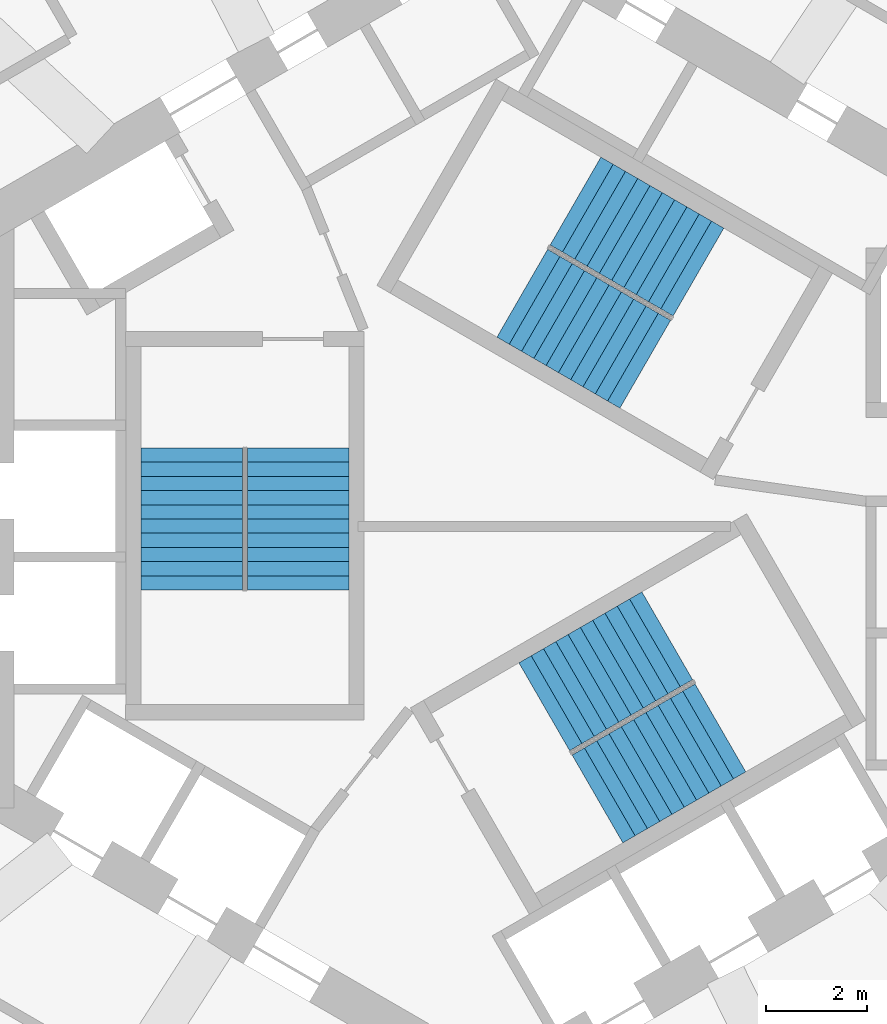
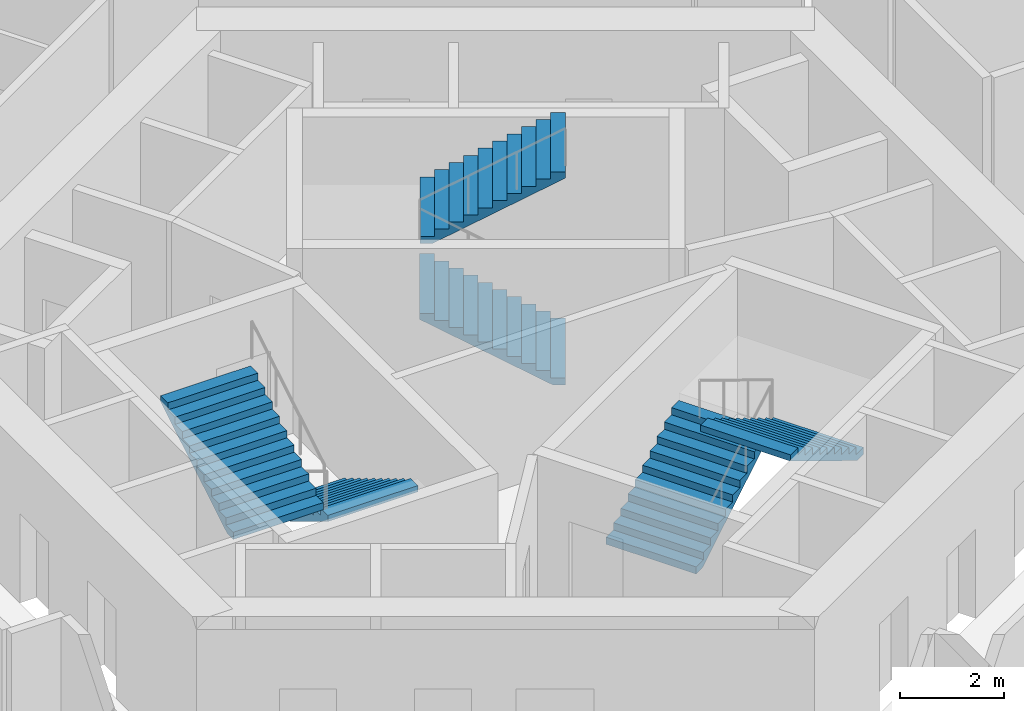
# One storey, part 9 of 11: 6 stair flights, 3 elements without a shape of their own.
"""IFC4 building model written with IfcOpenShell, lengths in metres."""

import ifcopenshell
import ifcopenshell.guid

model = None  # the IFC model being written
_history = None  # IfcOwnerHistory: only IFC2X3 demands one
_inside = {}  # id of a spatial element -> (the spatial element, [elements in it])
_under = {}  # id of a project, library or spatial element -> (it, [spatial elements below it])
_declared = {}  # id of a project -> (the project, [libraries it declares])
_typed = {}  # id of a type object -> (the type object, [elements of that type])
_made_of = {}  # id of a material, layer set ... -> (it, [elements and type objects made of it])


def new_model(schema):
    """Start an empty IFC model of exactly this schema.

    Asked for "IFC4X3", IfcOpenShell would pick the latest addendum, in which some entities
    have other attributes; the version numbers below select the first issue.
    IFC2X3 requires an IfcOwnerHistory on every rooted entity: one is made here for all.
    """
    global model, _history
    if schema == "IFC4X3":
        model = ifcopenshell.file(schema_version=(4, 3, 0, 0))
    else:
        model = ifcopenshell.file(schema=schema)
    _inside.clear()
    _under.clear()
    _declared.clear()
    _typed.clear()
    _made_of.clear()
    _history = None
    if model.schema == "IFC2X3":
        org = make("IfcOrganization", Name="unknown")
        user = make(
            "IfcPersonAndOrganization",
            ThePerson=make("IfcPerson", FamilyName="unknown"),
            TheOrganization=org,
        )
        app = make(
            "IfcApplication",
            ApplicationDeveloper=org,
            Version="unknown",
            ApplicationFullName="unknown",
            ApplicationIdentifier="unknown",
        )
        _history = make(
            "IfcOwnerHistory",
            OwningUser=user,
            OwningApplication=app,
            ChangeAction="ADDED",
            CreationDate=0,
        )
    return model


def make(cls, **values):
    """One entity of the class cls with the attributes given. An attribute that is None is left unset."""
    return model.create_entity(
        cls, **{name: value for name, value in values.items() if value is not None}
    )


def rooted(cls, **values):
    """An entity with a GlobalId (a new one), such as an element, a storey or a relation."""
    return make(cls, GlobalId=ifcopenshell.guid.new(), OwnerHistory=_history, **values)


def si_unit(unit_type, name, prefix=None):
    """IfcSIUnit, for example si_unit("LENGTHUNIT", "METRE", prefix="MILLI")."""
    return make("IfcSIUnit", UnitType=unit_type, Prefix=prefix, Name=name)


def assignment(units):
    """IfcUnitAssignment: the units of a project."""
    return None if units is None else make("IfcUnitAssignment", Units=units)


def point(xyz):
    """IfcCartesianPoint."""
    return None if xyz is None else make("IfcCartesianPoint", Coordinates=xyz)


def direction(xyz):
    """IfcDirection."""
    return None if xyz is None else make("IfcDirection", DirectionRatios=xyz)


def frame(location, z_axis=None, x_axis=None):
    """IfcAxis2Placement3D, a coordinate frame: its origin and axes. An axis left out is left unset."""
    return make(
        "IfcAxis2Placement3D",
        Location=point(location),
        Axis=direction(z_axis),
        RefDirection=direction(x_axis),
    )


def origin():
    """The frame at (0, 0, 0) with its axes left unset."""
    return frame((0.0, 0.0, 0.0))


def place(relative_to, where):
    """IfcLocalPlacement: puts the frame where relative to a parent placement (None: the world)."""
    return make(
        "IfcLocalPlacement", PlacementRelTo=relative_to, RelativePlacement=where
    )


def context(
    kind, dimensions, precision=None, world=None, true_north=None, identifier=None
):
    """IfcGeometricRepresentationContext, for example the 3D "Model" context."""
    return make(
        "IfcGeometricRepresentationContext",
        ContextIdentifier=identifier,
        ContextType=kind,
        CoordinateSpaceDimension=dimensions,
        Precision=precision,
        WorldCoordinateSystem=world,
        TrueNorth=true_north,
    )


def subcontext(parent, identifier, kind, view, scale=None):
    """IfcGeometricRepresentationSubContext, for example "Body" below "Model"."""
    return make(
        "IfcGeometricRepresentationSubContext",
        ContextIdentifier=identifier,
        ContextType=kind,
        ParentContext=parent,
        TargetScale=scale,
        TargetView=view,
    )


def project(units=None, contexts=None):
    """IfcProject with its units and contexts."""
    return rooted(
        "IfcProject",
        Name="project",
        RepresentationContexts=contexts,
        UnitsInContext=assignment(units),
    )


def spatial(cls, under=None, at=None, **own):
    """A site, building, storey or space (cls), placed at a placement, below another one or the project."""
    s = rooted(cls, ObjectPlacement=at, **own)
    if under is not None:
        _under.setdefault(under.id(), (under, []))[1].append(s)
    return s


def point_list(points):
    """IfcCartesianPointList2D or 3D."""
    cls = (
        "IfcCartesianPointList2D" if len(points[0]) == 2 else "IfcCartesianPointList3D"
    )
    return make(cls, CoordList=points)


def triangles(points, corners, closed=None, point_numbers=None):
    """IfcTriangulatedFaceSet: each triangle names its three corners, points numbered from 1."""
    return make(
        "IfcTriangulatedFaceSet",
        Coordinates=point_list(points),
        Closed=closed,
        CoordIndex=corners,
        PnIndex=point_numbers,
    )


def shape(context_of_items, identifier, shape_type, items):
    """IfcShapeRepresentation: the items that make up one representation, for example the "Body"."""
    return make(
        "IfcShapeRepresentation",
        ContextOfItems=context_of_items,
        RepresentationIdentifier=identifier,
        RepresentationType=shape_type,
        Items=items,
    )


def source(mapping_origin, context_of_items, identifier, shape_type, items):
    """IfcRepresentationMap: a shape defined once, which mapped items show again and again."""
    return make(
        "IfcRepresentationMap",
        MappingOrigin=mapping_origin,
        MappedRepresentation=shape(context_of_items, identifier, shape_type, items),
    )


def transform(
    local_origin,
    x_axis=None,
    y_axis=None,
    z_axis=None,
    scale=None,
    scale2=None,
    scale3=None,
    uniform=True,
):
    """IfcCartesianTransformationOperator3D, or its non-uniform kind. x_axis, y_axis, z_axis: its Axis1, 2, 3."""
    if uniform:
        return make(
            "IfcCartesianTransformationOperator3D",
            Axis1=direction(x_axis),
            Axis2=direction(y_axis),
            LocalOrigin=point(local_origin),
            Scale=scale,
            Axis3=direction(z_axis),
        )
    return make(
        "IfcCartesianTransformationOperator3DnonUniform",
        Axis1=direction(x_axis),
        Axis2=direction(y_axis),
        LocalOrigin=point(local_origin),
        Scale=scale,
        Axis3=direction(z_axis),
        Scale2=scale2,
        Scale3=scale3,
    )


def mapped(mapping_source, mapping_target):
    """IfcMappedItem: shows the shape of a source again, moved by a transform."""
    return make(
        "IfcMappedItem", MappingSource=mapping_source, MappingTarget=mapping_target
    )


def material(Name=None, Category=None):
    """IfcMaterial."""
    return make("IfcMaterial", Name=Name, Category=Category)


def made_of(thing, what):
    """Note that an element or type object is made of a material, layer set ...; save() writes the relation."""
    if what is not None:
        _made_of.setdefault(what.id(), (what, []))[1].append(thing)
    return thing


def type_object(cls, material=None, **own):
    """A type object (cls), such as IfcWallType, which elements share."""
    return made_of(rooted(cls, **own), material)


def element(
    cls,
    number,
    at=None,
    inside=None,
    cuts=None,
    type_object=None,
    material=None,
    context=None,
    identifier="Body",
    shape_type=None,
    held_by="IfcProductDefinitionShape",
    body=None,
    shapes=None,
    **own,
):
    """One element of the class cls, such as IfcWall. Its Tag is "e" and its number.

    at: its placement. inside: the storey or other place that contains it. cuts: it is an
    opening in that element (IfcRelVoidsElement). A single representation is given by context,
    identifier, shape_type and body (its items); several are given by shapes. held_by: the class
    of the entity that holds the representations. save() writes the other relations.
    """
    e = rooted(cls, Tag="e%d" % number, ObjectPlacement=at, **own)
    if body is not None:
        shapes = [shape(context, identifier, shape_type, body)]
    if shapes is not None:
        e.Representation = make(held_by, Representations=shapes)
    if inside is not None:
        _inside.setdefault(inside.id(), (inside, []))[1].append(e)
    if cuts is not None:
        rooted(
            "IfcRelVoidsElement", RelatingBuildingElement=cuts, RelatedOpeningElement=e
        )
    if type_object is not None:
        _typed.setdefault(type_object.id(), (type_object, []))[1].append(e)
    return made_of(e, material)


def aggregate(whole, parts):
    """IfcRelAggregates: a whole, such as a stair, and the parts it consists of."""
    return rooted("IfcRelAggregates", RelatingObject=whole, RelatedObjects=parts)


def save(model, path):
    """Write the relations noted so far, then the file.

    IfcRelAggregates (storeys below a building ...), IfcRelContainedInSpatialStructure (elements
    in a storey), IfcRelDefinesByType, IfcRelAssociatesMaterial and IfcRelDeclares: one each for
    every whole, place, type object, material and project.
    """
    for whole, parts in _under.values():
        aggregate(whole, parts)
    for where, things in _inside.values():
        rooted(
            "IfcRelContainedInSpatialStructure",
            RelatedElements=things,
            RelatingStructure=where,
        )
    for kind, things in _typed.values():
        rooted("IfcRelDefinesByType", RelatedObjects=things, RelatingType=kind)
    for what, things in _made_of.values():
        rooted("IfcRelAssociatesMaterial", RelatedObjects=things, RelatingMaterial=what)
    for by, libraries in _declared.values():
        rooted("IfcRelDeclares", RelatingContext=by, RelatedDefinitions=libraries)
    model.write(path)


model = new_model("IFC4")

# Units and contexts
model_context = context("Model", 3, precision=1e-05, world=origin(), true_north=direction((0.0, 1.0)))
body_context = subcontext(model_context, "Body", "Model", "MODEL_VIEW")
ifc_project = project(units=[si_unit("LENGTHUNIT", "METRE"), si_unit("AREAUNIT", "SQUARE_METRE"), si_unit("VOLUMEUNIT", "CUBIC_METRE"), si_unit("PLANEANGLEUNIT", "RADIAN"), si_unit("MASSUNIT", "GRAM", prefix="KILO")], contexts=[model_context])

# Site, building, storey
site_placement = place(None, origin())
site = spatial("IfcSite", under=ifc_project, at=site_placement, CompositionType="ELEMENT")
building_placement = place(site_placement, origin())
building = spatial("IfcBuilding", under=site, at=building_placement, Name="Vanh Sen Convention Tower", CompositionType="ELEMENT")
storey_placement = place(building_placement, frame((0.0, 0.0, 243.89990234375)))
storey = spatial("IfcBuildingStorey", under=building, at=storey_placement, Name="L60", CompositionType="ELEMENT", Elevation=243.89990234375)

# Stair, stair flights
ifc_material_1 = material(Name="Concrete C50/60", Category="concrete")
stair_type_1 = type_object("IfcStairType", Name="Exit stair ST1 22 risers at 168.2", PredefinedType="HALF_TURN_STAIR", material=ifc_material_1)
stair_1_placement = place(storey_placement, origin())
stair_1 = element("IfcStair", 1, at=stair_1_placement, inside=storey, type_object=stair_type_1, Name="Exit stair ST1 L60", PredefinedType="HALF_TURN_STAIR")
ifc_material_2 = material(Name="Concrete C40/50", Category="concrete")
stair_flight_type = type_object("IfcStairFlightType", Name="Stair flight 2000", PredefinedType="STRAIGHT", material=ifc_material_2)
shared_shape = source(origin(), body_context, "Body", "Tessellation", [
    triangles([(0.24267578125, 1.0, 0.0), (0.0, 1.0, 0.0), (0.0, 1.0, 0.168212890625), (0.280029296875, 1.0, 0.168212890625), (0.280029296875, 1.0, 0.33642578125), (0.56005859375, 1.0, 0.33642578125), (0.56005859375, 1.0, 0.504638671875), (0.840087890625, 1.0, 0.504638671875), (0.840087890625, 1.0, 0.672607421875), (1.1201171875, 1.0, 0.672607421875), (1.1201171875, 1.0, 0.8408203125), (1.39990234375, 1.0, 0.8408203125), (1.39990234375, 1.0, 1.009033203125), (1.679931640625, 1.0, 1.009033203125), (1.679931640625, 1.0, 1.17724609375), (1.9599609375, 1.0, 1.17724609375), (1.9599609375, 1.0, 1.345458984375), (2.239990234375, 1.0, 1.345458984375), (2.239990234375, 1.0, 1.513671875), (2.52001953125, 1.0, 1.513671875), (2.52001953125, 1.0, 1.681884765625), (2.800048828125, 1.0, 1.681884765625), (2.800048828125, 1.0, 1.535888671875), (0.24267578125, -1.0, 0.0), (0.0, -1.0, 0.0), (0.0, -1.0, 0.168212890625), (0.280029296875, -1.0, 0.168212890625), (0.280029296875, -1.0, 0.33642578125), (0.56005859375, -1.0, 0.33642578125), (0.56005859375, -1.0, 0.504638671875), (0.840087890625, -1.0, 0.504638671875), (0.840087890625, -1.0, 0.672607421875), (1.1201171875, -1.0, 0.672607421875), (1.1201171875, -1.0, 0.8408203125), (1.39990234375, -1.0, 0.8408203125), (1.39990234375, -1.0, 1.009033203125), (1.679931640625, -1.0, 1.009033203125), (1.679931640625, -1.0, 1.17724609375), (1.9599609375, -1.0, 1.17724609375), (1.9599609375, -1.0, 1.345458984375), (2.239990234375, -1.0, 1.345458984375), (2.239990234375, -1.0, 1.513671875), (2.52001953125, -1.0, 1.513671875), (2.52001953125, -1.0, 1.681884765625), (2.800048828125, -1.0, 1.681884765625), (2.800048828125, -1.0, 1.535888671875), (0.0, 0.0400390625, 0.0), (0.0, 0.0390625, 0.0), (0.0, 0.0380859375, 0.0), (0.0, 0.037109375, 0.0), (0.0, 0.035888671875, 0.0), (0.0, 0.034912109375, 0.0), (0.0, 0.033935546875, 0.0), (0.0, 0.032958984375, 0.0), (0.0, 0.031982421875, 0.0), (0.0, 0.031005859375, 0.0), (0.0, 0.030029296875, 0.0), (0.0, 0.029052734375, 0.0), (0.0, 0.028076171875, 0.0), (0.0, 0.027099609375, 0.0), (0.0, 0.02587890625, 0.0), (0.0, 0.02490234375, 0.0), (0.0, 0.02392578125, 0.0), (0.0, 0.02294921875, 0.0), (0.0, 0.02197265625, 0.0), (0.0, 0.02099609375, 0.0), (0.0, 0.02001953125, 0.0), (0.0, 0.01904296875, 0.0), (0.0, 0.01806640625, 0.0), (0.0, 0.01708984375, 0.0), (0.0, 0.01611328125, 0.0), (0.0, 0.014892578125, 0.0), (0.0, 0.013916015625, 0.0), (0.0, 0.012939453125, 0.0), (0.0, 0.011962890625, 0.0), (0.0, 0.010986328125, 0.0), (0.0, 0.010009765625, 0.0), (0.0, 0.009033203125, 0.0), (0.0, 0.008056640625, 0.0), (0.0, 0.007080078125, 0.0), (0.0, 0.006103515625, 0.0), (0.0, 0.0048828125, 0.0), (0.0, 0.00390625, 0.0), (0.0, 0.0029296875, 0.0), (0.0, 0.001953125, 0.0), (0.0, 0.0009765625, 0.0), (0.0, 0.0, 0.0), (0.0, -0.0009765625, 0.0), (0.0, -0.001953125, 0.0), (0.0, -0.0029296875, 0.0), (0.0, -0.00390625, 0.0), (0.0, -0.0048828125, 0.0), (0.0, -0.006103515625, 0.0), (0.0, -0.007080078125, 0.0), (0.0, -0.008056640625, 0.0), (0.0, -0.009033203125, 0.0), (0.0, -0.010009765625, 0.0), (0.0, -0.010986328125, 0.0), (0.0, -0.011962890625, 0.0), (0.0, -0.012939453125, 0.0), (0.0, -0.013916015625, 0.0), (0.0, -0.014892578125, 0.0), (0.0, -0.01611328125, 0.0), (0.0, -0.01708984375, 0.0), (0.0, -0.01806640625, 0.0), (0.0, -0.01904296875, 0.0), (0.0, -0.02001953125, 0.0), (0.0, -0.02099609375, 0.0), (0.0, -0.02197265625, 0.0), (0.0, -0.02294921875, 0.0), (0.0, -0.02392578125, 0.0), (0.0, -0.02490234375, 0.0), (0.0, -0.02587890625, 0.0), (0.0, -0.027099609375, 0.0), (0.0, -0.028076171875, 0.0), (0.0, -0.029052734375, 0.0), (0.0, -0.030029296875, 0.0), (0.0, -0.031005859375, 0.0), (0.0, -0.031982421875, 0.0), (0.0, -0.032958984375, 0.0), (0.0, -0.033935546875, 0.0), (0.0, -0.034912109375, 0.0), (0.0, -0.035888671875, 0.0), (0.0, -0.037109375, 0.0), (0.0, -0.0380859375, 0.0), (0.0, -0.0390625, 0.0), (0.0, -0.0400390625, 0.0), (0.0, 0.0400390625, 0.168212890625), (0.0, 0.0390625, 0.168212890625), (0.0, 0.0380859375, 0.168212890625), (0.0, 0.037109375, 0.168212890625), (0.0, 0.035888671875, 0.168212890625), (0.0, 0.034912109375, 0.168212890625), (0.0, 0.033935546875, 0.168212890625), (0.0, 0.032958984375, 0.168212890625), (0.0, 0.031982421875, 0.168212890625), (0.0, 0.031005859375, 0.168212890625), (0.0, 0.030029296875, 0.168212890625), (0.0, 0.029052734375, 0.168212890625), (0.0, 0.028076171875, 0.168212890625), (0.0, 0.027099609375, 0.168212890625), (0.0, 0.02587890625, 0.168212890625), (0.0, 0.02490234375, 0.168212890625), (0.0, 0.02392578125, 0.168212890625), (0.0, 0.02294921875, 0.168212890625), (0.0, 0.02197265625, 0.168212890625), (0.0, 0.02099609375, 0.168212890625), (0.0, 0.02001953125, 0.168212890625), (0.0, 0.01904296875, 0.168212890625), (0.0, 0.01806640625, 0.168212890625), (0.0, 0.01708984375, 0.168212890625), (0.0, 0.01611328125, 0.168212890625), (0.0, 0.014892578125, 0.168212890625), (0.0, 0.013916015625, 0.168212890625), (0.0, 0.012939453125, 0.168212890625), (0.0, 0.011962890625, 0.168212890625), (0.0, 0.010986328125, 0.168212890625), (0.0, 0.010009765625, 0.168212890625), (0.0, 0.009033203125, 0.168212890625), (0.0, 0.008056640625, 0.168212890625), (0.0, 0.007080078125, 0.168212890625), (0.0, 0.006103515625, 0.168212890625), (0.0, 0.0048828125, 0.168212890625), (0.0, 0.00390625, 0.168212890625), (0.0, 0.0029296875, 0.168212890625), (0.0, 0.001953125, 0.168212890625), (0.0, 0.0009765625, 0.168212890625), (0.0, 0.0, 0.168212890625), (0.0, -0.0009765625, 0.168212890625), (0.0, -0.001953125, 0.168212890625), (0.0, -0.0029296875, 0.168212890625), (0.0, -0.00390625, 0.168212890625), (0.0, -0.0048828125, 0.168212890625), (0.0, -0.006103515625, 0.168212890625), (0.0, -0.007080078125, 0.168212890625), (0.0, -0.008056640625, 0.168212890625), (0.0, -0.009033203125, 0.168212890625), (0.0, -0.010009765625, 0.168212890625), (0.0, -0.010986328125, 0.168212890625), (0.0, -0.011962890625, 0.168212890625), (0.0, -0.012939453125, 0.168212890625), (0.0, -0.013916015625, 0.168212890625), (0.0, -0.014892578125, 0.168212890625), (0.0, -0.01611328125, 0.168212890625), (0.0, -0.01708984375, 0.168212890625), (0.0, -0.01806640625, 0.168212890625), (0.0, -0.01904296875, 0.168212890625), (0.0, -0.02001953125, 0.168212890625), (0.0, -0.02099609375, 0.168212890625), (0.0, -0.02197265625, 0.168212890625), (0.0, -0.02294921875, 0.168212890625), (0.0, -0.02392578125, 0.168212890625), (0.0, -0.02490234375, 0.168212890625), (0.0, -0.02587890625, 0.168212890625), (0.0, -0.027099609375, 0.168212890625), (0.0, -0.028076171875, 0.168212890625), (0.0, -0.029052734375, 0.168212890625), (0.0, -0.030029296875, 0.168212890625), (0.0, -0.031005859375, 0.168212890625), (0.0, -0.031982421875, 0.168212890625), (0.0, -0.032958984375, 0.168212890625), (0.0, -0.033935546875, 0.168212890625), (0.0, -0.034912109375, 0.168212890625), (0.0, -0.035888671875, 0.168212890625), (0.0, -0.037109375, 0.168212890625), (0.0, -0.0380859375, 0.168212890625), (0.0, -0.0390625, 0.168212890625), (0.0, -0.0400390625, 0.168212890625), (0.280029296875, 0.0, 0.168212890625), (0.280029296875, 0.0, 0.33642578125), (0.56005859375, 0.0, 0.33642578125), (0.56005859375, 0.0, 0.504638671875), (0.840087890625, 0.0, 0.504638671875), (0.840087890625, 0.0, 0.672607421875), (1.1201171875, 0.0, 0.672607421875), (1.1201171875, 0.0, 0.8408203125), (1.39990234375, 0.0, 0.8408203125), (1.39990234375, 0.0, 1.009033203125), (1.679931640625, 0.0, 1.009033203125), (1.679931640625, 0.0, 1.17724609375), (1.9599609375, 0.0, 1.17724609375), (1.9599609375, 0.0, 1.345458984375), (2.239990234375, 0.0, 1.345458984375), (2.239990234375, 0.0, 1.513671875), (2.52001953125, 0.0, 1.513671875), (2.52001953125, 0.0, 1.681884765625), (2.800048828125, 0.0400390625, 1.681884765625), (2.800048828125, 0.0390625, 1.681884765625), (2.800048828125, 0.0380859375, 1.681884765625), (2.800048828125, 0.037109375, 1.681884765625), (2.800048828125, 0.035888671875, 1.681884765625), (2.800048828125, 0.034912109375, 1.681884765625), (2.800048828125, 0.033935546875, 1.681884765625), (2.800048828125, 0.032958984375, 1.681884765625), (2.800048828125, 0.031982421875, 1.681884765625), (2.800048828125, 0.031005859375, 1.681884765625), (2.800048828125, 0.030029296875, 1.681884765625), (2.800048828125, 0.029052734375, 1.681884765625), (2.800048828125, 0.028076171875, 1.681884765625), (2.800048828125, 0.027099609375, 1.681884765625), (2.800048828125, 0.02587890625, 1.681884765625), (2.800048828125, 0.02490234375, 1.681884765625), (2.800048828125, 0.02392578125, 1.681884765625), (2.800048828125, 0.02294921875, 1.681884765625), (2.800048828125, 0.02197265625, 1.681884765625), (2.800048828125, 0.02099609375, 1.681884765625), (2.800048828125, 0.02001953125, 1.681884765625), (2.800048828125, 0.01904296875, 1.681884765625), (2.800048828125, 0.01806640625, 1.681884765625), (2.800048828125, 0.01708984375, 1.681884765625), (2.800048828125, 0.01611328125, 1.681884765625), (2.800048828125, 0.014892578125, 1.681884765625), (2.800048828125, 0.013916015625, 1.681884765625), (2.800048828125, 0.012939453125, 1.681884765625), (2.800048828125, 0.011962890625, 1.681884765625), (2.800048828125, 0.010986328125, 1.681884765625), (2.800048828125, 0.010009765625, 1.681884765625), (2.800048828125, 0.009033203125, 1.681884765625), (2.800048828125, 0.008056640625, 1.681884765625), (2.800048828125, 0.007080078125, 1.681884765625), (2.800048828125, 0.006103515625, 1.681884765625), (2.800048828125, 0.0048828125, 1.681884765625), (2.800048828125, 0.00390625, 1.681884765625), (2.800048828125, 0.0029296875, 1.681884765625), (2.800048828125, 0.001953125, 1.681884765625), (2.800048828125, 0.0009765625, 1.681884765625), (2.800048828125, 0.0, 1.681884765625), (2.800048828125, -0.0009765625, 1.681884765625), (2.800048828125, -0.001953125, 1.681884765625), (2.800048828125, -0.0029296875, 1.681884765625), (2.800048828125, -0.00390625, 1.681884765625), (2.800048828125, -0.0048828125, 1.681884765625), (2.800048828125, -0.006103515625, 1.681884765625), (2.800048828125, -0.007080078125, 1.681884765625), (2.800048828125, -0.008056640625, 1.681884765625), (2.800048828125, -0.009033203125, 1.681884765625), (2.800048828125, -0.010009765625, 1.681884765625), (2.800048828125, -0.010986328125, 1.681884765625), (2.800048828125, -0.011962890625, 1.681884765625), (2.800048828125, -0.012939453125, 1.681884765625), (2.800048828125, -0.013916015625, 1.681884765625), (2.800048828125, -0.014892578125, 1.681884765625), (2.800048828125, -0.01611328125, 1.681884765625), (2.800048828125, -0.01708984375, 1.681884765625), (2.800048828125, -0.01806640625, 1.681884765625), (2.800048828125, -0.01904296875, 1.681884765625), (2.800048828125, -0.02001953125, 1.681884765625), (2.800048828125, -0.02099609375, 1.681884765625), (2.800048828125, -0.02197265625, 1.681884765625), (2.800048828125, -0.02294921875, 1.681884765625), (2.800048828125, -0.02392578125, 1.681884765625), (2.800048828125, -0.02490234375, 1.681884765625), (2.800048828125, -0.02587890625, 1.681884765625), (2.800048828125, -0.027099609375, 1.681884765625), (2.800048828125, -0.028076171875, 1.681884765625), (2.800048828125, -0.029052734375, 1.681884765625), (2.800048828125, -0.030029296875, 1.681884765625), (2.800048828125, -0.031005859375, 1.681884765625), (2.800048828125, -0.031982421875, 1.681884765625), (2.800048828125, -0.032958984375, 1.681884765625), (2.800048828125, -0.033935546875, 1.681884765625), (2.800048828125, -0.034912109375, 1.681884765625), (2.800048828125, -0.035888671875, 1.681884765625), (2.800048828125, -0.037109375, 1.681884765625), (2.800048828125, -0.0380859375, 1.681884765625), (2.800048828125, -0.0390625, 1.681884765625), (2.800048828125, -0.0400390625, 1.681884765625), (2.800048828125, 0.0400390625, 1.535888671875), (2.800048828125, 0.0390625, 1.535888671875), (2.800048828125, 0.0380859375, 1.535888671875), (2.800048828125, 0.037109375, 1.535888671875), (2.800048828125, 0.035888671875, 1.535888671875), (2.800048828125, 0.034912109375, 1.535888671875), (2.800048828125, 0.033935546875, 1.535888671875), (2.800048828125, 0.032958984375, 1.535888671875), (2.800048828125, 0.031982421875, 1.535888671875), (2.800048828125, 0.031005859375, 1.535888671875), (2.800048828125, 0.030029296875, 1.535888671875), (2.800048828125, 0.029052734375, 1.535888671875), (2.800048828125, 0.028076171875, 1.535888671875), (2.800048828125, 0.027099609375, 1.535888671875), (2.800048828125, 0.02587890625, 1.535888671875), (2.800048828125, 0.02490234375, 1.535888671875), (2.800048828125, 0.02392578125, 1.535888671875), (2.800048828125, 0.02294921875, 1.535888671875), (2.800048828125, 0.02197265625, 1.535888671875), (2.800048828125, 0.02099609375, 1.535888671875), (2.800048828125, 0.02001953125, 1.535888671875), (2.800048828125, 0.01904296875, 1.535888671875), (2.800048828125, 0.01806640625, 1.535888671875), (2.800048828125, 0.01708984375, 1.535888671875), (2.800048828125, 0.01611328125, 1.535888671875), (2.800048828125, 0.014892578125, 1.535888671875), (2.800048828125, 0.013916015625, 1.535888671875), (2.800048828125, 0.012939453125, 1.535888671875), (2.800048828125, 0.011962890625, 1.535888671875), (2.800048828125, 0.010986328125, 1.535888671875), (2.800048828125, 0.010009765625, 1.535888671875), (2.800048828125, 0.009033203125, 1.535888671875), (2.800048828125, 0.008056640625, 1.535888671875), (2.800048828125, 0.007080078125, 1.535888671875), (2.800048828125, 0.006103515625, 1.535888671875), (2.800048828125, 0.0048828125, 1.535888671875), (2.800048828125, 0.00390625, 1.535888671875), (2.800048828125, 0.0029296875, 1.535888671875), (2.800048828125, 0.001953125, 1.535888671875), (2.800048828125, 0.0009765625, 1.535888671875), (2.800048828125, 0.0, 1.535888671875), (2.800048828125, -0.0009765625, 1.535888671875), (2.800048828125, -0.001953125, 1.535888671875), (2.800048828125, -0.0029296875, 1.535888671875), (2.800048828125, -0.00390625, 1.535888671875), (2.800048828125, -0.0048828125, 1.535888671875), (2.800048828125, -0.006103515625, 1.535888671875), (2.800048828125, -0.007080078125, 1.535888671875), (2.800048828125, -0.008056640625, 1.535888671875), (2.800048828125, -0.009033203125, 1.535888671875), (2.800048828125, -0.010009765625, 1.535888671875), (2.800048828125, -0.010986328125, 1.535888671875), (2.800048828125, -0.011962890625, 1.535888671875), (2.800048828125, -0.012939453125, 1.535888671875), (2.800048828125, -0.013916015625, 1.535888671875), (2.800048828125, -0.014892578125, 1.535888671875), (2.800048828125, -0.01611328125, 1.535888671875), (2.800048828125, -0.01708984375, 1.535888671875), (2.800048828125, -0.01806640625, 1.535888671875), (2.800048828125, -0.01904296875, 1.535888671875), (2.800048828125, -0.02001953125, 1.535888671875), (2.800048828125, -0.02099609375, 1.535888671875), (2.800048828125, -0.02197265625, 1.535888671875), (2.800048828125, -0.02294921875, 1.535888671875), (2.800048828125, -0.02392578125, 1.535888671875), (2.800048828125, -0.02490234375, 1.535888671875), (2.800048828125, -0.02587890625, 1.535888671875), (2.800048828125, -0.027099609375, 1.535888671875), (2.800048828125, -0.028076171875, 1.535888671875), (2.800048828125, -0.029052734375, 1.535888671875), (2.800048828125, -0.030029296875, 1.535888671875), (2.800048828125, -0.031005859375, 1.535888671875), (2.800048828125, -0.031982421875, 1.535888671875), (2.800048828125, -0.032958984375, 1.535888671875), (2.800048828125, -0.033935546875, 1.535888671875), (2.800048828125, -0.034912109375, 1.535888671875), (2.800048828125, -0.035888671875, 1.535888671875), (2.800048828125, -0.037109375, 1.535888671875), (2.800048828125, -0.0380859375, 1.535888671875), (2.800048828125, -0.0390625, 1.535888671875), (2.800048828125, -0.0400390625, 1.535888671875), (0.24267578125, 0.0, 0.0)], [[1, 2, 3], [1, 3, 4], [4, 5, 6], [1, 4, 6], [6, 7, 8], [1, 6, 8], [8, 9, 10], [1, 8, 10], [10, 11, 12], [1, 10, 12], [12, 13, 14], [1, 12, 14], [14, 15, 16], [1, 14, 16], [16, 17, 18], [1, 16, 18], [18, 19, 20], [1, 18, 20], [20, 21, 22], [1, 20, 22], [22, 23, 1], [24, 26, 25], [24, 27, 26], [27, 29, 28], [24, 29, 27], [29, 31, 30], [24, 31, 29], [31, 33, 32], [24, 33, 31], [33, 35, 34], [24, 35, 33], [35, 37, 36], [24, 37, 35], [37, 39, 38], [24, 39, 37], [39, 41, 40], [24, 41, 39], [41, 43, 42], [24, 43, 41], [43, 45, 44], [24, 45, 43], [45, 24, 46], [2, 128, 3], [2, 47, 128], [47, 129, 128], [47, 48, 129], [48, 130, 129], [48, 49, 130], [49, 131, 130], [49, 50, 131], [50, 132, 131], [50, 51, 132], [51, 133, 132], [51, 52, 133], [52, 134, 133], [52, 53, 134], [53, 135, 134], [53, 54, 135], [54, 136, 135], [54, 55, 136], [55, 137, 136], [55, 56, 137], [56, 138, 137], [56, 57, 138], [57, 139, 138], [57, 58, 139], [58, 140, 139], [58, 59, 140], [59, 141, 140], [59, 60, 141], [60, 142, 141], [60, 61, 142], [61, 143, 142], [61, 62, 143], [62, 144, 143], [62, 63, 144], [63, 145, 144], [63, 64, 145], [64, 146, 145], [64, 65, 146], [65, 147, 146], [65, 66, 147], [66, 148, 147], [66, 67, 148], [67, 149, 148], [67, 68, 149], [68, 150, 149], [68, 69, 150], [69, 151, 150], [69, 70, 151], [70, 152, 151], [70, 71, 152], [71, 153, 152], [71, 72, 153], [72, 154, 153], [72, 73, 154], [73, 155, 154], [73, 74, 155], [74, 156, 155], [74, 75, 156], [75, 157, 156], [75, 76, 157], [76, 158, 157], [76, 77, 158], [77, 159, 158], [77, 78, 159], [78, 160, 159], [78, 79, 160], [79, 161, 160], [79, 80, 161], [80, 162, 161], [80, 81, 162], [81, 163, 162], [81, 82, 163], [82, 164, 163], [82, 83, 164], [83, 165, 164], [83, 84, 165], [84, 166, 165], [84, 85, 166], [85, 167, 166], [85, 86, 167], [86, 168, 167], [86, 87, 168], [87, 88, 168], [168, 88, 169], [88, 89, 169], [169, 89, 170], [89, 90, 170], [170, 90, 171], [90, 91, 171], [171, 91, 172], [91, 92, 172], [172, 92, 173], [92, 93, 173], [173, 93, 174], [93, 94, 174], [174, 94, 175], [94, 95, 175], [175, 95, 176], [95, 96, 176], [176, 96, 177], [96, 97, 177], [177, 97, 178], [97, 98, 178], [178, 98, 179], [98, 99, 179], [179, 99, 180], [99, 100, 180], [180, 100, 181], [100, 101, 181], [181, 101, 182], [101, 102, 182], [182, 102, 183], [102, 103, 183], [183, 103, 184], [103, 104, 184], [184, 104, 185], [104, 105, 185], [185, 105, 186], [105, 106, 186], [186, 106, 187], [106, 107, 187], [187, 107, 188], [107, 108, 188], [188, 108, 189], [108, 109, 189], [189, 109, 190], [109, 110, 190], [190, 110, 191], [110, 111, 191], [191, 111, 192], [111, 112, 192], [192, 112, 193], [112, 113, 193], [193, 113, 194], [113, 114, 194], [194, 114, 195], [114, 115, 195], [195, 115, 196], [115, 116, 196], [196, 116, 197], [116, 117, 197], [197, 117, 198], [117, 118, 198], [198, 118, 199], [118, 119, 199], [199, 119, 200], [119, 120, 200], [200, 120, 201], [120, 121, 201], [201, 121, 202], [121, 122, 202], [202, 122, 203], [122, 123, 203], [203, 123, 204], [123, 124, 204], [204, 124, 205], [124, 125, 205], [205, 125, 206], [125, 126, 206], [206, 126, 207], [126, 127, 207], [207, 127, 208], [127, 25, 208], [208, 25, 26], [4, 3, 128], [4, 128, 129], [4, 129, 130], [4, 130, 131], [4, 131, 132], [4, 132, 133], [4, 133, 134], [4, 134, 135], [4, 135, 136], [4, 136, 137], [4, 137, 138], [4, 138, 139], [4, 139, 140], [4, 140, 141], [4, 141, 142], [4, 142, 143], [4, 143, 144], [4, 144, 145], [4, 145, 146], [4, 146, 147], [4, 147, 148], [4, 148, 149], [4, 149, 150], [4, 150, 151], [4, 151, 152], [4, 152, 153], [4, 153, 154], [4, 154, 155], [4, 155, 156], [4, 156, 157], [4, 157, 158], [4, 158, 159], [4, 159, 160], [4, 160, 161], [4, 161, 162], [4, 162, 163], [4, 163, 164], [4, 164, 165], [4, 165, 166], [4, 166, 167], [4, 167, 168], [27, 168, 169], [27, 169, 170], [27, 170, 171], [27, 171, 172], [27, 172, 173], [27, 173, 174], [27, 174, 175], [27, 175, 176], [27, 176, 177], [27, 177, 178], [27, 178, 179], [27, 179, 180], [27, 180, 181], [27, 181, 182], [27, 182, 183], [27, 183, 184], [27, 184, 185], [27, 185, 186], [27, 186, 187], [27, 187, 188], [27, 188, 189], [27, 189, 190], [27, 190, 191], [27, 191, 192], [27, 192, 193], [27, 193, 194], [27, 194, 195], [27, 195, 196], [27, 196, 197], [27, 197, 198], [27, 198, 199], [27, 199, 200], [27, 200, 201], [27, 201, 202], [27, 202, 203], [27, 203, 204], [27, 204, 205], [27, 205, 206], [27, 206, 207], [27, 207, 208], [27, 208, 26], [4, 168, 209], [27, 209, 168], [4, 210, 5], [4, 209, 210], [209, 27, 210], [210, 27, 28], [5, 211, 6], [5, 210, 211], [210, 28, 211], [211, 28, 29], [6, 212, 7], [6, 211, 212], [211, 29, 212], [212, 29, 30], [7, 213, 8], [7, 212, 213], [212, 30, 213], [213, 30, 31], [8, 214, 9], [8, 213, 214], [213, 31, 214], [214, 31, 32], [9, 215, 10], [9, 214, 215], [214, 32, 215], [215, 32, 33], [10, 216, 11], [10, 215, 216], [215, 33, 216], [216, 33, 34], [11, 217, 12], [11, 216, 217], [216, 34, 217], [217, 34, 35], [12, 218, 13], [12, 217, 218], [217, 35, 218], [218, 35, 36], [13, 219, 14], [13, 218, 219], [218, 36, 219], [219, 36, 37], [14, 220, 15], [14, 219, 220], [219, 37, 220], [220, 37, 38], [15, 221, 16], [15, 220, 221], [220, 38, 221], [221, 38, 39], [16, 222, 17], [16, 221, 222], [221, 39, 222], [222, 39, 40], [17, 223, 18], [17, 222, 223], [222, 40, 223], [223, 40, 41], [18, 224, 19], [18, 223, 224], [223, 41, 224], [224, 41, 42], [19, 225, 20], [19, 224, 225], [224, 42, 225], [225, 42, 43], [20, 226, 21], [20, 225, 226], [225, 43, 226], [226, 43, 44], [21, 227, 22], [21, 228, 227], [21, 229, 228], [21, 230, 229], [21, 231, 230], [21, 232, 231], [21, 233, 232], [21, 234, 233], [21, 235, 234], [21, 236, 235], [21, 237, 236], [21, 238, 237], [21, 239, 238], [21, 240, 239], [21, 241, 240], [21, 242, 241], [21, 243, 242], [21, 244, 243], [21, 245, 244], [21, 246, 245], [21, 247, 246], [21, 248, 247], [21, 249, 248], [21, 250, 249], [21, 251, 250], [21, 252, 251], [21, 253, 252], [21, 254, 253], [21, 255, 254], [21, 256, 255], [21, 257, 256], [21, 258, 257], [21, 259, 258], [21, 260, 259], [21, 261, 260], [21, 262, 261], [21, 263, 262], [21, 264, 263], [21, 265, 264], [21, 266, 265], [21, 267, 266], [44, 268, 267], [44, 269, 268], [44, 270, 269], [44, 271, 270], [44, 272, 271], [44, 273, 272], [44, 274, 273], [44, 275, 274], [44, 276, 275], [44, 277, 276], [44, 278, 277], [44, 279, 278], [44, 280, 279], [44, 281, 280], [44, 282, 281], [44, 283, 282], [44, 284, 283], [44, 285, 284], [44, 286, 285], [44, 287, 286], [44, 288, 287], [44, 289, 288], [44, 290, 289], [44, 291, 290], [44, 292, 291], [44, 293, 292], [44, 294, 293], [44, 295, 294], [44, 296, 295], [44, 297, 296], [44, 298, 297], [44, 299, 298], [44, 300, 299], [44, 301, 300], [44, 302, 301], [44, 303, 302], [44, 304, 303], [44, 305, 304], [44, 306, 305], [44, 307, 306], [44, 45, 307], [21, 226, 267], [44, 267, 226], [22, 308, 23], [22, 227, 308], [227, 309, 308], [227, 228, 309], [228, 310, 309], [228, 229, 310], [229, 311, 310], [229, 230, 311], [230, 312, 311], [230, 231, 312], [231, 313, 312], [231, 232, 313], [232, 314, 313], [232, 233, 314], [233, 315, 314], [233, 234, 315], [234, 316, 315], [234, 235, 316], [235, 317, 316], [235, 236, 317], [236, 318, 317], [236, 237, 318], [237, 319, 318], [237, 238, 319], [238, 320, 319], [238, 239, 320], [239, 321, 320], [239, 240, 321], [240, 322, 321], [240, 241, 322], [241, 323, 322], [241, 242, 323], [242, 324, 323], [242, 243, 324], [243, 325, 324], [243, 244, 325], [244, 326, 325], [244, 245, 326], [245, 327, 326], [245, 246, 327], [246, 328, 327], [246, 247, 328], [247, 329, 328], [247, 248, 329], [248, 330, 329], [248, 249, 330], [249, 331, 330], [249, 250, 331], [250, 332, 331], [250, 251, 332], [251, 333, 332], [251, 252, 333], [252, 334, 333], [252, 253, 334], [253, 335, 334], [253, 254, 335], [254, 336, 335], [254, 255, 336], [255, 337, 336], [255, 256, 337], [256, 338, 337], [256, 257, 338], [257, 339, 338], [257, 258, 339], [258, 340, 339], [258, 259, 340], [259, 341, 340], [259, 260, 341], [260, 342, 341], [260, 261, 342], [261, 343, 342], [261, 262, 343], [262, 344, 343], [262, 263, 344], [263, 345, 344], [263, 264, 345], [264, 346, 345], [264, 265, 346], [265, 347, 346], [265, 266, 347], [266, 348, 347], [266, 267, 348], [267, 268, 348], [348, 268, 349], [268, 269, 349], [349, 269, 350], [269, 270, 350], [350, 270, 351], [270, 271, 351], [351, 271, 352], [271, 272, 352], [352, 272, 353], [272, 273, 353], [353, 273, 354], [273, 274, 354], [354, 274, 355], [274, 275, 355], [355, 275, 356], [275, 276, 356], [356, 276, 357], [276, 277, 357], [357, 277, 358], [277, 278, 358], [358, 278, 359], [278, 279, 359], [359, 279, 360], [279, 280, 360], [360, 280, 361], [280, 281, 361], [361, 281, 362], [281, 282, 362], [362, 282, 363], [282, 283, 363], [363, 283, 364], [283, 284, 364], [364, 284, 365], [284, 285, 365], [365, 285, 366], [285, 286, 366], [366, 286, 367], [286, 287, 367], [367, 287, 368], [287, 288, 368], [368, 288, 369], [288, 289, 369], [369, 289, 370], [289, 290, 370], [370, 290, 371], [290, 291, 371], [371, 291, 372], [291, 292, 372], [372, 292, 373], [292, 293, 373], [373, 293, 374], [293, 294, 374], [374, 294, 375], [294, 295, 375], [375, 295, 376], [295, 296, 376], [376, 296, 377], [296, 297, 377], [377, 297, 378], [297, 298, 378], [378, 298, 379], [298, 299, 379], [379, 299, 380], [299, 300, 380], [380, 300, 381], [300, 301, 381], [381, 301, 382], [301, 302, 382], [382, 302, 383], [302, 303, 383], [383, 303, 384], [303, 304, 384], [384, 304, 385], [304, 305, 385], [385, 305, 386], [305, 306, 386], [386, 306, 387], [306, 307, 387], [387, 307, 388], [307, 45, 388], [388, 45, 46], [1, 23, 308], [1, 308, 309], [1, 309, 310], [1, 310, 311], [1, 311, 312], [1, 312, 313], [1, 313, 314], [1, 314, 315], [1, 315, 316], [1, 316, 317], [1, 317, 318], [1, 318, 319], [1, 319, 320], [1, 320, 321], [1, 321, 322], [1, 322, 323], [1, 323, 324], [1, 324, 325], [1, 325, 326], [1, 326, 327], [1, 327, 328], [1, 328, 329], [1, 329, 330], [1, 330, 331], [1, 331, 332], [1, 332, 333], [1, 333, 334], [1, 334, 335], [1, 335, 336], [1, 336, 337], [1, 337, 338], [1, 338, 339], [1, 339, 340], [1, 340, 341], [1, 341, 342], [1, 342, 343], [1, 343, 344], [1, 344, 345], [1, 345, 346], [1, 346, 347], [1, 347, 348], [24, 348, 349], [24, 349, 350], [24, 350, 351], [24, 351, 352], [24, 352, 353], [24, 353, 354], [24, 354, 355], [24, 355, 356], [24, 356, 357], [24, 357, 358], [24, 358, 359], [24, 359, 360], [24, 360, 361], [24, 361, 362], [24, 362, 363], [24, 363, 364], [24, 364, 365], [24, 365, 366], [24, 366, 367], [24, 367, 368], [24, 368, 369], [24, 369, 370], [24, 370, 371], [24, 371, 372], [24, 372, 373], [24, 373, 374], [24, 374, 375], [24, 375, 376], [24, 376, 377], [24, 377, 378], [24, 378, 379], [24, 379, 380], [24, 380, 381], [24, 381, 382], [24, 382, 383], [24, 383, 384], [24, 384, 385], [24, 385, 386], [24, 386, 387], [24, 387, 388], [24, 388, 46], [1, 348, 389], [24, 389, 348], [1, 47, 2], [1, 48, 47], [1, 49, 48], [1, 50, 49], [1, 51, 50], [1, 52, 51], [1, 53, 52], [1, 54, 53], [1, 55, 54], [1, 56, 55], [1, 57, 56], [1, 58, 57], [1, 59, 58], [1, 60, 59], [1, 61, 60], [1, 62, 61], [1, 63, 62], [1, 64, 63], [1, 65, 64], [1, 66, 65], [1, 67, 66], [1, 68, 67], [1, 69, 68], [1, 70, 69], [1, 71, 70], [1, 72, 71], [1, 73, 72], [1, 74, 73], [1, 75, 74], [1, 76, 75], [1, 77, 76], [1, 78, 77], [1, 79, 78], [1, 80, 79], [1, 81, 80], [1, 82, 81], [1, 83, 82], [1, 84, 83], [1, 85, 84], [1, 86, 85], [1, 87, 86], [24, 88, 87], [24, 89, 88], [24, 90, 89], [24, 91, 90], [24, 92, 91], [24, 93, 92], [24, 94, 93], [24, 95, 94], [24, 96, 95], [24, 97, 96], [24, 98, 97], [24, 99, 98], [24, 100, 99], [24, 101, 100], [24, 102, 101], [24, 103, 102], [24, 104, 103], [24, 105, 104], [24, 106, 105], [24, 107, 106], [24, 108, 107], [24, 109, 108], [24, 110, 109], [24, 111, 110], [24, 112, 111], [24, 113, 112], [24, 114, 113], [24, 115, 114], [24, 116, 115], [24, 117, 116], [24, 118, 117], [24, 119, 118], [24, 120, 119], [24, 121, 120], [24, 122, 121], [24, 123, 122], [24, 124, 123], [24, 125, 124], [24, 126, 125], [24, 127, 126], [24, 25, 127], [1, 389, 87], [24, 87, 389]], closed=True),
])
stair_flight_1_placement = place(storey_placement, frame((2.94580078125, 2.802490234375, 0.0), z_axis=(0.0, 0.0, 1.0), x_axis=(-0.866025403784, 0.5, 0.0)))
stair_flight_1 = element("IfcStairFlight", 2, at=stair_flight_1_placement, type_object=stair_flight_type, Name="ST1 flight 1", NumberOfRisers=11, NumberOfTreads=10, PredefinedType="STRAIGHT", RiserHeight=0.168181818, TreadLength=0.28, context=body_context, shape_type="MappedRepresentation", body=[
    mapped(shared_shape, transform((0.0, 0.0, 0.0))),
])
stair_flight_2_placement = place(storey_placement, frame((1.571044921875, 6.021240234375, 1.85009765625), z_axis=(0.0, 0.0, 1.0), x_axis=(0.866025403784, -0.5, 0.0)))
stair_flight_2 = element("IfcStairFlight", 3, at=stair_flight_2_placement, type_object=stair_flight_type, Name="ST1 flight 2", NumberOfRisers=11, NumberOfTreads=10, PredefinedType="STRAIGHT", RiserHeight=0.168181818, TreadLength=0.28, context=body_context, shape_type="MappedRepresentation", body=[
    mapped(shared_shape, transform((0.0, 0.0, 0.0))),
])
aggregate(stair_1, [stair_flight_1, stair_flight_2])

stair_type_2 = type_object("IfcStairType", Name="Exit stair ST2 22 risers at 168.2", PredefinedType="HALF_TURN_STAIR", material=ifc_material_1)
stair_2_placement = place(storey_placement, origin())
stair_2 = element("IfcStair", 4, at=stair_2_placement, inside=storey, type_object=stair_type_2, Name="Exit stair ST2 L60", PredefinedType="HALF_TURN_STAIR")
stair_flight_3_placement = place(storey_placement, frame((-3.89990234375, 1.14990234375, 0.0), z_axis=(0.0, 0.0, 1.0), x_axis=(0.0, -1.0, 0.0)))
stair_flight_3 = element("IfcStairFlight", 5, at=stair_flight_3_placement, type_object=stair_flight_type, Name="ST2 flight 1", NumberOfRisers=11, NumberOfTreads=10, PredefinedType="STRAIGHT", RiserHeight=0.168181818, TreadLength=0.28, context=body_context, shape_type="MappedRepresentation", body=[
    mapped(shared_shape, transform((0.0, 0.0, 0.0))),
])
stair_flight_4_placement = place(storey_placement, frame((-6.0, -1.64990234375, 1.85009765625), z_axis=(0.0, 0.0, 1.0), x_axis=(0.0, 1.0, 0.0)))
stair_flight_4 = element("IfcStairFlight", 6, at=stair_flight_4_placement, type_object=stair_flight_type, Name="ST2 flight 2", NumberOfRisers=11, NumberOfTreads=10, PredefinedType="STRAIGHT", RiserHeight=0.168181818, TreadLength=0.28, context=body_context, shape_type="MappedRepresentation", body=[
    mapped(shared_shape, transform((0.0, 0.0, 0.0))),
])
aggregate(stair_2, [stair_flight_3, stair_flight_4])

stair_type_3 = type_object("IfcStairType", Name="Exit stair ST3 22 risers at 168.2", PredefinedType="HALF_TURN_STAIR", material=ifc_material_1)
stair_3_placement = place(storey_placement, origin())
stair_3 = element("IfcStair", 7, at=stair_3_placement, inside=storey, type_object=stair_type_3, Name="Exit stair ST3 L60", PredefinedType="HALF_TURN_STAIR")
stair_flight_5_placement = place(storey_placement, frame((0.9541015625, -3.952392578125, 0.0), z_axis=(0.0, 0.0, 1.0), x_axis=(0.866025403784, 0.5, 0.0)))
stair_flight_5 = element("IfcStairFlight", 8, at=stair_flight_5_placement, type_object=stair_flight_type, Name="ST3 flight 1", NumberOfRisers=11, NumberOfTreads=10, PredefinedType="STRAIGHT", RiserHeight=0.168181818, TreadLength=0.28, context=body_context, shape_type="MappedRepresentation", body=[
    mapped(shared_shape, transform((0.0, 0.0, 0.0))),
])
stair_flight_6_placement = place(storey_placement, frame((4.428955078125, -4.37109375, 1.85009765625), z_axis=(0.0, 0.0, 1.0), x_axis=(-0.866025403784, -0.5, 0.0)))
stair_flight_6 = element("IfcStairFlight", 9, at=stair_flight_6_placement, type_object=stair_flight_type, Name="ST3 flight 2", NumberOfRisers=11, NumberOfTreads=10, PredefinedType="STRAIGHT", RiserHeight=0.168181818, TreadLength=0.28, context=body_context, shape_type="MappedRepresentation", body=[
    mapped(shared_shape, transform((0.0, 0.0, 0.0))),
])
aggregate(stair_3, [stair_flight_5, stair_flight_6])

save(model, "model.ifc")
